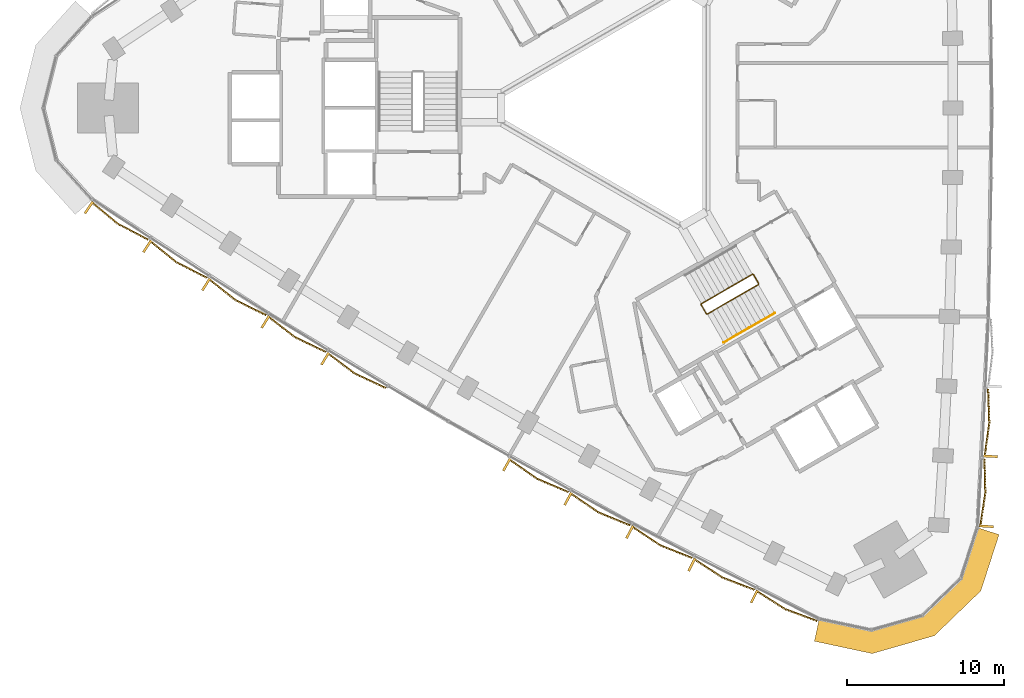
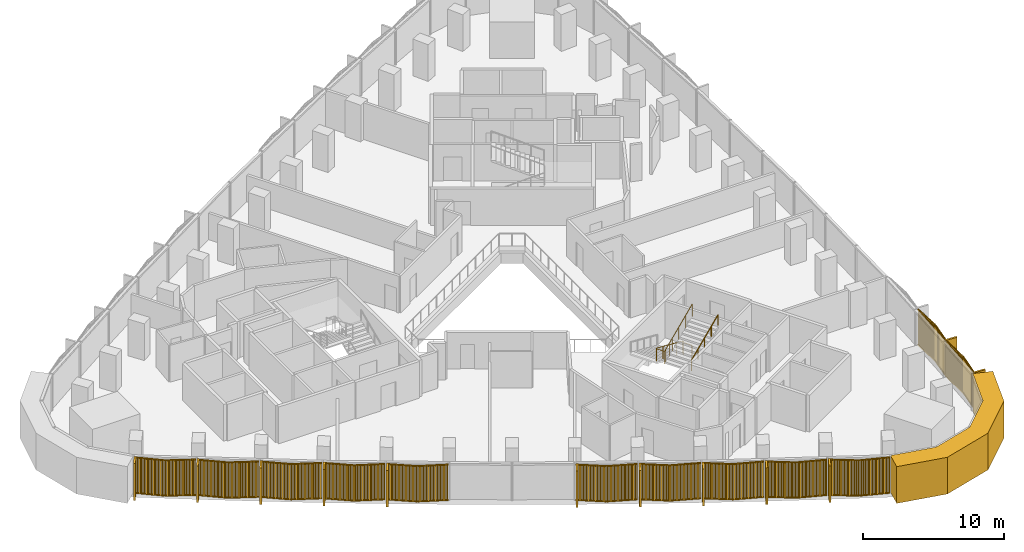
# One storey, part 12 of 15: 13 coverings, 2 railings.
"""IFC4 building model written with IfcOpenShell, lengths in metres."""

from ifc_helpers import new_model, si_unit, direction, frame, frame_2d, origin, origin_2d, place, context, subcontext, project, spatial, polyline, rectangle, circle, outline, extrude, source, transform, mapped, material, layer, layer_set, type_object, element, save


model = new_model("IFC4")

# Units and contexts
model_context = context("Model", 3, precision=1e-05, world=origin(), true_north=direction((0.0, 1.0)))
body_context = subcontext(model_context, "Body", "Model", "MODEL_VIEW")
ifc_project = project(units=[si_unit("LENGTHUNIT", "METRE"), si_unit("AREAUNIT", "SQUARE_METRE"), si_unit("VOLUMEUNIT", "CUBIC_METRE"), si_unit("PLANEANGLEUNIT", "RADIAN"), si_unit("MASSUNIT", "GRAM", prefix="KILO")], contexts=[model_context])

# Site, building, storey
site_placement = place(None, origin())
site = spatial("IfcSite", under=ifc_project, at=site_placement, CompositionType="ELEMENT")
building_placement = place(site_placement, origin())
building = spatial("IfcBuilding", under=site, at=building_placement, Name="Tamra Quay Hotel Tower", CompositionType="ELEMENT")
storey_placement = place(building_placement, frame((0.0, 0.0, 97.39990234375)))
storey = spatial("IfcBuildingStorey", under=building, at=storey_placement, Name="L23", CompositionType="ELEMENT", Elevation=97.39990234375)

# Covering
ifc_material_1 = material(Name="Precast concrete M60 terracotta-coloured", Category="masonry")
ifc_layer = layer(ifc_material_1, 1.449951171875)
ifc_layer_set = layer_set([ifc_layer], Name="CORNER PIER PANEL")
covering_type_1 = type_object("IfcCoveringType", Name="CORNER PIER PANEL", PredefinedType="CLADDING", material=ifc_layer_set)
covering_placement = place(storey_placement, origin())
element("IfcCovering", 1, at=covering_placement, inside=storey, type_object=covering_type_1, Name="Corner pier L23.south-west", PredefinedType="CLADDING", context=body_context, shape_type="SweptSolid", body=[
    extrude(outline(polyline([(12.11181640625, -32.657470703125), (11.808349609375, -34.075439453125), (15.497314453125, -34.864501953125), (19.471923828125, -33.7265625), (22.44482421875, -30.853271484375), (23.60595703125, -27.26416015625), (22.226318359375, -26.81787109375), (21.1767578125, -30.062255859375), (18.724609375, -32.43212890625), (15.4462890625, -33.370849609375), (12.11181640625, -32.657470703125)])), origin(), (0.0, 0.0, 1.0), 3.175048828125),
])

# Railings
ifc_material_2 = material(Name="Stair guard 1100")
railing_type_1 = type_object("IfcRailingType", Name="Stair guard 1100", PredefinedType="GUARDRAIL", material=ifc_material_2)
railing_1_placement = place(storey_placement, frame((8.245849609375, -11.221923828125, 0.0)))
element("IfcRailing", 2, at=railing_1_placement, inside=storey, type_object=railing_type_1, Name="GR", PredefinedType="GUARDRAIL", context=body_context, shape_type="SweptSolid", body=[
    extrude(circle(Radius=0.02392578125, at=origin_2d()), frame((0.0, 0.0, 1.076171875), z_axis=(-0.500043078269, 0.866000531106, 0.0), x_axis=(-0.866000531106, -0.500043078269, 0.0)), (0.0, 0.0, 1.0), 0.6591796875),
    extrude(circle(Radius=0.02392578125, at=origin_2d()), frame((-0.32958984375, 0.57080078125, 1.076171875), z_axis=(-0.411831509231, 0.110312011401, 0.90455849349), x_axis=(-0.258736085224, -0.965948051503, 0.0)), (0.0, 0.0, 1.0), 0.166015625),
    extrude(circle(Radius=0.02392578125, at=origin_2d()), frame((-0.39794921875, 0.589111328125, 1.22607421875), z_axis=(-0.793100512587, -0.457912285461, 0.401631567183), x_axis=(0.500012686397, -0.866018079166, 0.0)), (0.0, 0.0, 1.0), 4.10791015625),
    extrude(circle(Radius=0.02392578125, at=origin_2d()), frame((-3.656005859375, -1.2919921875, 2.8759765625), z_axis=(-0.256368644879, -0.966579080015, 0.0), x_axis=(0.966579080015, -0.256368644879, 0.0)), (0.0, 0.0, 1.0), 0.070556640625),
    extrude(circle(Radius=0.02392578125, at=origin_2d()), frame((-3.674072265625, -1.360107421875, 2.8759765625), z_axis=(0.499765215335, -0.866160914346, 0.0), x_axis=(0.866160914346, 0.499765215335, 0.0)), (0.0, 0.0, 1.0), 0.658935546875),
    extrude(circle(Radius=0.02392578125, at=origin_2d()), frame((-3.3447265625, -1.930908203125, 2.8759765625), z_axis=(0.411831509231, -0.110312011401, 0.90455849349), x_axis=(0.258736085224, 0.965948051503, 0.0)), (0.0, 0.0, 1.0), 0.166015625),
    extrude(circle(Radius=0.02392578125, at=origin_2d()), frame((-3.2763671875, -1.94921875, 3.0263671875), z_axis=(0.793100512587, 0.457912285461, 0.401631567183), x_axis=(-0.500012686397, 0.866018079166, 0.0)), (0.0, 0.0, 1.0), 4.10791015625),
    extrude(circle(Radius=0.02099609375, at=origin_2d()), origin(), (0.0, 0.0, 1.0), 1.052001953125),
    extrude(circle(Radius=0.02099609375, at=origin_2d()), frame((-0.32958984375, 0.57080078125, 0.0)), (0.0, 0.0, 1.0), 1.052001953125),
    extrude(circle(Radius=0.02099609375, at=origin_2d()), frame((-0.39794921875, 0.589111328125, 0.150146484375)), (0.0, 0.0, 1.0), 1.052001953125),
    extrude(circle(Radius=0.02099609375, at=origin_2d()), frame((-1.21240234375, 0.118896484375, 0.5625)), (0.0, 0.0, 1.0), 1.052001953125),
    extrude(circle(Radius=0.02099609375, at=origin_2d()), frame((-2.02685546875, -0.3515625, 0.97509765625)), (0.0, 0.0, 1.0), 1.052001953125),
    extrude(circle(Radius=0.02099609375, at=origin_2d()), frame((-2.841552734375, -0.82177734375, 1.3876953125)), (0.0, 0.0, 1.0), 1.052001953125),
    extrude(circle(Radius=0.02099609375, at=origin_2d()), frame((-3.656005859375, -1.2919921875, 1.800048828125)), (0.0, 0.0, 1.0), 1.052001953125),
    extrude(circle(Radius=0.02099609375, at=origin_2d()), frame((-3.674072265625, -1.360107421875, 1.800048828125)), (0.0, 0.0, 1.0), 1.052001953125),
    extrude(circle(Radius=0.02099609375, at=origin_2d()), frame((-3.3447265625, -1.930908203125, 1.800048828125)), (0.0, 0.0, 1.0), 1.052001953125),
    extrude(circle(Radius=0.02099609375, at=origin_2d()), frame((-3.2763671875, -1.94921875, 1.9501953125)), (0.0, 0.0, 1.0), 1.052001953125),
    extrude(circle(Radius=0.02099609375, at=origin_2d()), frame((-2.4619140625, -1.47900390625, 2.36279296875)), (0.0, 0.0, 1.0), 1.052001953125),
    extrude(circle(Radius=0.02099609375, at=origin_2d()), frame((-1.6474609375, -1.0087890625, 2.775146484375)), (0.0, 0.0, 1.0), 1.052001953125),
    extrude(circle(Radius=0.02099609375, at=origin_2d()), frame((-0.832763671875, -0.538330078125, 3.1875)), (0.0, 0.0, 1.0), 1.052001953125),
    extrude(circle(Radius=0.02099609375, at=origin_2d()), frame((-0.018310546875, -0.068115234375, 3.60009765625)), (0.0, 0.0, 1.0), 1.052001953125),
])
ifc_material_3 = material(Name="Stair handrail 900")
railing_type_2 = type_object("IfcRailingType", Name="Stair handrail 900", PredefinedType="HANDRAIL", material=ifc_material_3)
railing_2_placement = place(storey_placement, frame((6.01953125, -14.98974609375, 1.9501953125)))
element("IfcRailing", 3, at=railing_2_placement, inside=storey, type_object=railing_type_2, Name="HR", PredefinedType="HANDRAIL", context=body_context, shape_type="SweptSolid", body=[
    extrude(circle(Radius=0.02392578125, at=origin_2d()), frame((0.0, 0.0, 0.8759765625), z_axis=(0.79310004713, 0.457886897714, 0.401661429744), x_axis=(-0.499992114976, 0.866029956157, 0.0)), (0.0, 0.0, 1.0), 4.107666015625),
    extrude(circle(Radius=0.02099609375, at=origin_2d()), origin(), (0.0, 0.0, 1.0), 0.851806640625),
    extrude(circle(Radius=0.02099609375, at=origin_2d()), frame((0.814453125, 0.47021484375, 0.41259765625)), (0.0, 0.0, 1.0), 0.851806640625),
    extrude(circle(Radius=0.02099609375, at=origin_2d()), frame((1.62890625, 0.9404296875, 0.824951171875)), (0.0, 0.0, 1.0), 0.851806640625),
    extrude(circle(Radius=0.02099609375, at=origin_2d()), frame((2.443359375, 1.41064453125, 1.2373046875)), (0.0, 0.0, 1.0), 0.851806640625),
    extrude(circle(Radius=0.02099609375, at=origin_2d()), frame((3.2578125, 1.880859375, 1.64990234375)), (0.0, 0.0, 1.0), 0.851806640625),
])

# Coverings
ifc_material_4 = material(Name="Terracotta baguette extruded", Category="masonry")
covering_type_2 = type_object("IfcCoveringType", Name="BAGUETTE SCREEN E-V H3175", PredefinedType="USERDEFINED", material=ifc_material_4)
shared_shape_1 = source(origin(), body_context, "Body", "SweptSolid", [
    extrude(rectangle(XDim=2.200927734375, YDim=0.06005859375, at=frame_2d((1.1005859375, 0.030029296875))), frame((-2.19775390625, -0.057861328125, -0.1201171875), z_axis=(0.0, 0.0, 1.0), x_axis=(0.996194698092, -0.087155742748, 0.0)), (0.0, 0.0, 1.0), 0.1201171875),
    extrude(rectangle(XDim=2.200927734375, YDim=0.06005859375, at=frame_2d((1.1005859375, 0.030029296875))), frame((-2.19775390625, -0.057861328125, -3.175048828125), z_axis=(0.0, 0.0, 1.0), x_axis=(0.996194698092, -0.087155742748, 0.0)), (0.0, 0.0, 1.0), 0.1201171875),
    extrude(rectangle(XDim=0.070068359375, YDim=0.10009765625, at=frame_2d((0.03515625, 0.050048828125))), frame((-2.177734375, -0.13232421875, -3.114990234375)), (0.0, 0.0, 1.0), 3.054931640625),
    extrude(rectangle(XDim=0.070068359375, YDim=0.10009765625, at=frame_2d((0.03515625, 0.050048828125))), frame((-2.078125, -0.14111328125, -3.114990234375)), (0.0, 0.0, 1.0), 3.054931640625),
    extrude(rectangle(XDim=0.070068359375, YDim=0.10009765625, at=frame_2d((0.03515625, 0.050048828125))), frame((-1.978271484375, -0.14990234375, -3.114990234375)), (0.0, 0.0, 1.0), 3.054931640625),
    extrude(rectangle(XDim=0.070068359375, YDim=0.10009765625, at=frame_2d((0.03515625, 0.050048828125))), frame((-1.878662109375, -0.158447265625, -3.114990234375)), (0.0, 0.0, 1.0), 3.054931640625),
    extrude(rectangle(XDim=0.070068359375, YDim=0.10009765625, at=frame_2d((0.03515625, 0.050048828125))), frame((-1.779052734375, -0.167236328125, -3.114990234375)), (0.0, 0.0, 1.0), 3.054931640625),
    extrude(rectangle(XDim=0.070068359375, YDim=0.10009765625, at=frame_2d((0.03515625, 0.050048828125))), frame((-1.679443359375, -0.176025390625, -3.114990234375)), (0.0, 0.0, 1.0), 3.054931640625),
    extrude(rectangle(XDim=0.070068359375, YDim=0.10009765625, at=frame_2d((0.03515625, 0.050048828125))), frame((-1.579833984375, -0.1845703125, -3.114990234375)), (0.0, 0.0, 1.0), 3.054931640625),
    extrude(rectangle(XDim=0.070068359375, YDim=0.10009765625, at=frame_2d((0.03515625, 0.050048828125))), frame((-1.47998046875, -0.193359375, -3.114990234375)), (0.0, 0.0, 1.0), 3.054931640625),
    extrude(rectangle(XDim=0.070068359375, YDim=0.10009765625, at=frame_2d((0.03515625, 0.050048828125))), frame((-1.38037109375, -0.2021484375, -3.114990234375)), (0.0, 0.0, 1.0), 3.054931640625),
    extrude(rectangle(XDim=0.070068359375, YDim=0.10009765625, at=frame_2d((0.03515625, 0.050048828125))), frame((-1.28076171875, -0.2109375, -3.114990234375)), (0.0, 0.0, 1.0), 3.054931640625),
    extrude(rectangle(XDim=0.070068359375, YDim=0.10009765625, at=frame_2d((0.03515625, 0.050048828125))), frame((-1.18115234375, -0.219482421875, -3.114990234375)), (0.0, 0.0, 1.0), 3.054931640625),
    extrude(rectangle(XDim=0.070068359375, YDim=0.10009765625, at=frame_2d((0.03515625, 0.050048828125))), frame((-1.081298828125, -0.228271484375, -3.114990234375)), (0.0, 0.0, 1.0), 3.054931640625),
    extrude(rectangle(XDim=0.070068359375, YDim=0.10009765625, at=frame_2d((0.03515625, 0.050048828125))), frame((-0.981689453125, -0.237060546875, -3.114990234375)), (0.0, 0.0, 1.0), 3.054931640625),
    extrude(rectangle(XDim=0.070068359375, YDim=0.10009765625, at=frame_2d((0.03515625, 0.050048828125))), frame((-0.882080078125, -0.24560546875, -3.114990234375)), (0.0, 0.0, 1.0), 3.054931640625),
    extrude(rectangle(XDim=0.070068359375, YDim=0.10009765625, at=frame_2d((0.03515625, 0.050048828125))), frame((-0.782470703125, -0.25439453125, -3.114990234375)), (0.0, 0.0, 1.0), 3.054931640625),
    extrude(rectangle(XDim=0.070068359375, YDim=0.10009765625, at=frame_2d((0.03515625, 0.050048828125))), frame((-0.682861328125, -0.26318359375, -3.114990234375)), (0.0, 0.0, 1.0), 3.054931640625),
    extrude(rectangle(XDim=0.070068359375, YDim=0.10009765625, at=frame_2d((0.03515625, 0.050048828125))), frame((-0.583251953125, -0.27197265625, -3.114990234375)), (0.0, 0.0, 1.0), 3.054931640625),
    extrude(rectangle(XDim=0.070068359375, YDim=0.10009765625, at=frame_2d((0.03515625, 0.050048828125))), frame((-0.4833984375, -0.280517578125, -3.114990234375)), (0.0, 0.0, 1.0), 3.054931640625),
    extrude(rectangle(XDim=0.070068359375, YDim=0.10009765625, at=frame_2d((0.03515625, 0.050048828125))), frame((-0.3837890625, -0.289306640625, -3.114990234375)), (0.0, 0.0, 1.0), 3.054931640625),
    extrude(rectangle(XDim=0.070068359375, YDim=0.10009765625, at=frame_2d((0.03515625, 0.050048828125))), frame((-0.2841796875, -0.298095703125, -3.114990234375)), (0.0, 0.0, 1.0), 3.054931640625),
    extrude(rectangle(XDim=0.070068359375, YDim=0.10009765625, at=frame_2d((0.03515625, 0.050048828125))), frame((-0.1845703125, -0.306640625, -3.114990234375)), (0.0, 0.0, 1.0), 3.054931640625),
    extrude(rectangle(XDim=0.070068359375, YDim=0.10009765625, at=frame_2d((0.03515625, 0.050048828125))), frame((-0.084716796875, -0.3154296875, -3.114990234375)), (0.0, 0.0, 1.0), 3.054931640625),
    extrude(rectangle(XDim=2.200927734375, YDim=0.06005859375, at=frame_2d((1.1005859375, 0.030029296875))), frame((0.005126953125, -0.24951171875, -0.1201171875), z_axis=(0.0, 0.0, 1.0), x_axis=(0.996194698092, 0.087155742748, 0.0)), (0.0, 0.0, 1.0), 0.1201171875),
    extrude(rectangle(XDim=2.200927734375, YDim=0.06005859375, at=frame_2d((1.1005859375, 0.030029296875))), frame((0.005126953125, -0.24951171875, -3.175048828125), z_axis=(0.0, 0.0, 1.0), x_axis=(0.996194698092, 0.087155742748, 0.0)), (0.0, 0.0, 1.0), 0.1201171875),
    extrude(rectangle(XDim=0.070068359375, YDim=0.10009765625, at=frame_2d((0.03515625, 0.050048828125))), frame((0.014892578125, -0.3154296875, -3.114990234375)), (0.0, 0.0, 1.0), 3.054931640625),
    extrude(rectangle(XDim=0.070068359375, YDim=0.10009765625, at=frame_2d((0.03515625, 0.050048828125))), frame((0.114501953125, -0.306640625, -3.114990234375)), (0.0, 0.0, 1.0), 3.054931640625),
    extrude(rectangle(XDim=0.070068359375, YDim=0.10009765625, at=frame_2d((0.03515625, 0.050048828125))), frame((0.214111328125, -0.298095703125, -3.114990234375)), (0.0, 0.0, 1.0), 3.054931640625),
    extrude(rectangle(XDim=0.070068359375, YDim=0.10009765625, at=frame_2d((0.03515625, 0.050048828125))), frame((0.313720703125, -0.289306640625, -3.114990234375)), (0.0, 0.0, 1.0), 3.054931640625),
    extrude(rectangle(XDim=0.070068359375, YDim=0.10009765625, at=frame_2d((0.03515625, 0.050048828125))), frame((0.41357421875, -0.280517578125, -3.114990234375)), (0.0, 0.0, 1.0), 3.054931640625),
    extrude(rectangle(XDim=0.070068359375, YDim=0.10009765625, at=frame_2d((0.03515625, 0.050048828125))), frame((0.51318359375, -0.27197265625, -3.114990234375)), (0.0, 0.0, 1.0), 3.054931640625),
    extrude(rectangle(XDim=0.070068359375, YDim=0.10009765625, at=frame_2d((0.03515625, 0.050048828125))), frame((0.61279296875, -0.26318359375, -3.114990234375)), (0.0, 0.0, 1.0), 3.054931640625),
    extrude(rectangle(XDim=0.070068359375, YDim=0.10009765625, at=frame_2d((0.03515625, 0.050048828125))), frame((0.71240234375, -0.25439453125, -3.114990234375)), (0.0, 0.0, 1.0), 3.054931640625),
    extrude(rectangle(XDim=0.070068359375, YDim=0.10009765625, at=frame_2d((0.03515625, 0.050048828125))), frame((0.81201171875, -0.24560546875, -3.114990234375)), (0.0, 0.0, 1.0), 3.054931640625),
    extrude(rectangle(XDim=0.070068359375, YDim=0.10009765625, at=frame_2d((0.03515625, 0.050048828125))), frame((0.911865234375, -0.237060546875, -3.114990234375)), (0.0, 0.0, 1.0), 3.054931640625),
    extrude(rectangle(XDim=0.070068359375, YDim=0.10009765625, at=frame_2d((0.03515625, 0.050048828125))), frame((1.011474609375, -0.228271484375, -3.114990234375)), (0.0, 0.0, 1.0), 3.054931640625),
    extrude(rectangle(XDim=0.070068359375, YDim=0.10009765625, at=frame_2d((0.03515625, 0.050048828125))), frame((1.111083984375, -0.219482421875, -3.114990234375)), (0.0, 0.0, 1.0), 3.054931640625),
    extrude(rectangle(XDim=0.070068359375, YDim=0.10009765625, at=frame_2d((0.03515625, 0.050048828125))), frame((1.210693359375, -0.2109375, -3.114990234375)), (0.0, 0.0, 1.0), 3.054931640625),
    extrude(rectangle(XDim=0.070068359375, YDim=0.10009765625, at=frame_2d((0.03515625, 0.050048828125))), frame((1.310302734375, -0.2021484375, -3.114990234375)), (0.0, 0.0, 1.0), 3.054931640625),
    extrude(rectangle(XDim=0.070068359375, YDim=0.10009765625, at=frame_2d((0.03515625, 0.050048828125))), frame((1.41015625, -0.193359375, -3.114990234375)), (0.0, 0.0, 1.0), 3.054931640625),
    extrude(rectangle(XDim=0.070068359375, YDim=0.10009765625, at=frame_2d((0.03515625, 0.050048828125))), frame((1.509765625, -0.1845703125, -3.114990234375)), (0.0, 0.0, 1.0), 3.054931640625),
    extrude(rectangle(XDim=0.070068359375, YDim=0.10009765625, at=frame_2d((0.03515625, 0.050048828125))), frame((1.609375, -0.176025390625, -3.114990234375)), (0.0, 0.0, 1.0), 3.054931640625),
    extrude(rectangle(XDim=0.070068359375, YDim=0.10009765625, at=frame_2d((0.03515625, 0.050048828125))), frame((1.708984375, -0.167236328125, -3.114990234375)), (0.0, 0.0, 1.0), 3.054931640625),
    extrude(rectangle(XDim=0.070068359375, YDim=0.10009765625, at=frame_2d((0.03515625, 0.050048828125))), frame((1.80859375, -0.158447265625, -3.114990234375)), (0.0, 0.0, 1.0), 3.054931640625),
    extrude(rectangle(XDim=0.070068359375, YDim=0.10009765625, at=frame_2d((0.03515625, 0.050048828125))), frame((1.908447265625, -0.14990234375, -3.114990234375)), (0.0, 0.0, 1.0), 3.054931640625),
    extrude(rectangle(XDim=0.070068359375, YDim=0.10009765625, at=frame_2d((0.03515625, 0.050048828125))), frame((2.008056640625, -0.14111328125, -3.114990234375)), (0.0, 0.0, 1.0), 3.054931640625),
    extrude(rectangle(XDim=0.070068359375, YDim=0.10009765625, at=frame_2d((0.03515625, 0.050048828125))), frame((2.107666015625, -0.13232421875, -3.114990234375)), (0.0, 0.0, 1.0), 3.054931640625),
    extrude(rectangle(XDim=0.14990234375, YDim=0.902099609375, at=frame_2d((0.074951171875, 0.451171875))), frame((-2.1923828125, -0.89990234375, -3.175048828125)), (0.0, 0.0, 1.0), 3.175048828125),
])
for number, where, z_axis, x_axis, name in (
    (4, (22.474365234375, -24.5927734375, 3.175048828125), (0.0, 0.0, 1.0), (0.062669917068, 0.998034308776, 0.0), "Baguette screen L23.E.f00"),
    (5, (22.729248046875, -20.1259765625, 3.175048828125), (0.0, 0.0, 1.0), (0.051320736558, 0.998682222731, 0.0), "Baguette screen L23.E.f01"),
):
    element("IfcCovering", number, at=place(storey_placement, frame(where, z_axis=z_axis, x_axis=x_axis)), inside=storey, type_object=covering_type_2, Name=name, ObjectType="BAGUETTE SCREEN", PredefinedType="USERDEFINED", context=body_context, shape_type="MappedRepresentation", body=[
        mapped(shared_shape_1, transform((0.0, 0.0, 0.0), scale=1.0)),
    ])
covering_type_3 = type_object("IfcCoveringType", Name="BAGUETTE SCREEN SW-V H3175", PredefinedType="USERDEFINED", material=ifc_material_4)
shared_shape_2 = source(origin(), body_context, "Body", "SweptSolid", [
    extrude(rectangle(XDim=2.20458984375, YDim=0.06005859375, at=frame_2d((1.102294921875, 0.030029296875))), frame((-2.19873046875, -0.0576171875, -0.1201171875), z_axis=(0.0, 0.0, 1.0), x_axis=(0.994521895368, -0.104528463268, 0.0)), (0.0, 0.0, 1.0), 0.1201171875),
    extrude(rectangle(XDim=2.20458984375, YDim=0.06005859375, at=frame_2d((1.102294921875, 0.030029296875))), frame((-2.19873046875, -0.0576171875, -3.175048828125), z_axis=(0.0, 0.0, 1.0), x_axis=(0.994521895368, -0.104528463268, 0.0)), (0.0, 0.0, 1.0), 0.1201171875),
    extrude(rectangle(XDim=0.070068359375, YDim=0.10009765625, at=frame_2d((0.03515625, 0.050048828125))), frame((-2.177734375, -0.13330078125, -3.114990234375)), (0.0, 0.0, 1.0), 3.054931640625),
    extrude(rectangle(XDim=0.070068359375, YDim=0.10009765625, at=frame_2d((0.03515625, 0.050048828125))), frame((-2.078125, -0.143798828125, -3.114990234375)), (0.0, 0.0, 1.0), 3.054931640625),
    extrude(rectangle(XDim=0.070068359375, YDim=0.10009765625, at=frame_2d((0.03515625, 0.050048828125))), frame((-1.978271484375, -0.154296875, -3.114990234375)), (0.0, 0.0, 1.0), 3.054931640625),
    extrude(rectangle(XDim=0.070068359375, YDim=0.10009765625, at=frame_2d((0.03515625, 0.050048828125))), frame((-1.878662109375, -0.16455078125, -3.114990234375)), (0.0, 0.0, 1.0), 3.054931640625),
    extrude(rectangle(XDim=0.070068359375, YDim=0.10009765625, at=frame_2d((0.03515625, 0.050048828125))), frame((-1.779052734375, -0.175048828125, -3.114990234375)), (0.0, 0.0, 1.0), 3.054931640625),
    extrude(rectangle(XDim=0.070068359375, YDim=0.10009765625, at=frame_2d((0.03515625, 0.050048828125))), frame((-1.679443359375, -0.185546875, -3.114990234375)), (0.0, 0.0, 1.0), 3.054931640625),
    extrude(rectangle(XDim=0.070068359375, YDim=0.10009765625, at=frame_2d((0.03515625, 0.050048828125))), frame((-1.579833984375, -0.196044921875, -3.114990234375)), (0.0, 0.0, 1.0), 3.054931640625),
    extrude(rectangle(XDim=0.070068359375, YDim=0.10009765625, at=frame_2d((0.03515625, 0.050048828125))), frame((-1.47998046875, -0.20654296875, -3.114990234375)), (0.0, 0.0, 1.0), 3.054931640625),
    extrude(rectangle(XDim=0.070068359375, YDim=0.10009765625, at=frame_2d((0.03515625, 0.050048828125))), frame((-1.38037109375, -0.217041015625, -3.114990234375)), (0.0, 0.0, 1.0), 3.054931640625),
    extrude(rectangle(XDim=0.070068359375, YDim=0.10009765625, at=frame_2d((0.03515625, 0.050048828125))), frame((-1.28076171875, -0.2275390625, -3.114990234375)), (0.0, 0.0, 1.0), 3.054931640625),
    extrude(rectangle(XDim=0.070068359375, YDim=0.10009765625, at=frame_2d((0.03515625, 0.050048828125))), frame((-1.18115234375, -0.238037109375, -3.114990234375)), (0.0, 0.0, 1.0), 3.054931640625),
    extrude(rectangle(XDim=0.070068359375, YDim=0.10009765625, at=frame_2d((0.03515625, 0.050048828125))), frame((-1.081298828125, -0.24853515625, -3.114990234375)), (0.0, 0.0, 1.0), 3.054931640625),
    extrude(rectangle(XDim=0.070068359375, YDim=0.10009765625, at=frame_2d((0.03515625, 0.050048828125))), frame((-0.981689453125, -0.259033203125, -3.114990234375)), (0.0, 0.0, 1.0), 3.054931640625),
    extrude(rectangle(XDim=0.070068359375, YDim=0.10009765625, at=frame_2d((0.03515625, 0.050048828125))), frame((-0.882080078125, -0.26953125, -3.114990234375)), (0.0, 0.0, 1.0), 3.054931640625),
    extrude(rectangle(XDim=0.070068359375, YDim=0.10009765625, at=frame_2d((0.03515625, 0.050048828125))), frame((-0.782470703125, -0.27978515625, -3.114990234375)), (0.0, 0.0, 1.0), 3.054931640625),
    extrude(rectangle(XDim=0.070068359375, YDim=0.10009765625, at=frame_2d((0.03515625, 0.050048828125))), frame((-0.682861328125, -0.290283203125, -3.114990234375)), (0.0, 0.0, 1.0), 3.054931640625),
    extrude(rectangle(XDim=0.070068359375, YDim=0.10009765625, at=frame_2d((0.03515625, 0.050048828125))), frame((-0.583251953125, -0.30078125, -3.114990234375)), (0.0, 0.0, 1.0), 3.054931640625),
    extrude(rectangle(XDim=0.070068359375, YDim=0.10009765625, at=frame_2d((0.03515625, 0.050048828125))), frame((-0.4833984375, -0.311279296875, -3.114990234375)), (0.0, 0.0, 1.0), 3.054931640625),
    extrude(rectangle(XDim=0.070068359375, YDim=0.10009765625, at=frame_2d((0.03515625, 0.050048828125))), frame((-0.3837890625, -0.32177734375, -3.114990234375)), (0.0, 0.0, 1.0), 3.054931640625),
    extrude(rectangle(XDim=0.070068359375, YDim=0.10009765625, at=frame_2d((0.03515625, 0.050048828125))), frame((-0.2841796875, -0.332275390625, -3.114990234375)), (0.0, 0.0, 1.0), 3.054931640625),
    extrude(rectangle(XDim=0.070068359375, YDim=0.10009765625, at=frame_2d((0.03515625, 0.050048828125))), frame((-0.1845703125, -0.3427734375, -3.114990234375)), (0.0, 0.0, 1.0), 3.054931640625),
    extrude(rectangle(XDim=0.070068359375, YDim=0.10009765625, at=frame_2d((0.03515625, 0.050048828125))), frame((-0.084716796875, -0.353271484375, -3.114990234375)), (0.0, 0.0, 1.0), 3.054931640625),
    extrude(rectangle(XDim=2.20458984375, YDim=0.06005859375, at=frame_2d((1.102294921875, 0.030029296875))), frame((0.00634765625, -0.2880859375, -0.1201171875), z_axis=(0.0, 0.0, 1.0), x_axis=(0.994521895368, 0.104528463268, 0.0)), (0.0, 0.0, 1.0), 0.1201171875),
    extrude(rectangle(XDim=2.20458984375, YDim=0.06005859375, at=frame_2d((1.102294921875, 0.030029296875))), frame((0.00634765625, -0.2880859375, -3.175048828125), z_axis=(0.0, 0.0, 1.0), x_axis=(0.994521895368, 0.104528463268, 0.0)), (0.0, 0.0, 1.0), 0.1201171875),
    extrude(rectangle(XDim=0.070068359375, YDim=0.10009765625, at=frame_2d((0.03515625, 0.050048828125))), frame((0.014892578125, -0.353271484375, -3.114990234375)), (0.0, 0.0, 1.0), 3.054931640625),
    extrude(rectangle(XDim=0.070068359375, YDim=0.10009765625, at=frame_2d((0.03515625, 0.050048828125))), frame((0.114501953125, -0.3427734375, -3.114990234375)), (0.0, 0.0, 1.0), 3.054931640625),
    extrude(rectangle(XDim=0.070068359375, YDim=0.10009765625, at=frame_2d((0.03515625, 0.050048828125))), frame((0.214111328125, -0.332275390625, -3.114990234375)), (0.0, 0.0, 1.0), 3.054931640625),
    extrude(rectangle(XDim=0.070068359375, YDim=0.10009765625, at=frame_2d((0.03515625, 0.050048828125))), frame((0.313720703125, -0.32177734375, -3.114990234375)), (0.0, 0.0, 1.0), 3.054931640625),
    extrude(rectangle(XDim=0.070068359375, YDim=0.10009765625, at=frame_2d((0.03515625, 0.050048828125))), frame((0.41357421875, -0.311279296875, -3.114990234375)), (0.0, 0.0, 1.0), 3.054931640625),
    extrude(rectangle(XDim=0.070068359375, YDim=0.10009765625, at=frame_2d((0.03515625, 0.050048828125))), frame((0.51318359375, -0.30078125, -3.114990234375)), (0.0, 0.0, 1.0), 3.054931640625),
    extrude(rectangle(XDim=0.070068359375, YDim=0.10009765625, at=frame_2d((0.03515625, 0.050048828125))), frame((0.61279296875, -0.290283203125, -3.114990234375)), (0.0, 0.0, 1.0), 3.054931640625),
    extrude(rectangle(XDim=0.070068359375, YDim=0.10009765625, at=frame_2d((0.03515625, 0.050048828125))), frame((0.71240234375, -0.27978515625, -3.114990234375)), (0.0, 0.0, 1.0), 3.054931640625),
    extrude(rectangle(XDim=0.070068359375, YDim=0.10009765625, at=frame_2d((0.03515625, 0.050048828125))), frame((0.81201171875, -0.26953125, -3.114990234375)), (0.0, 0.0, 1.0), 3.054931640625),
    extrude(rectangle(XDim=0.070068359375, YDim=0.10009765625, at=frame_2d((0.03515625, 0.050048828125))), frame((0.911865234375, -0.259033203125, -3.114990234375)), (0.0, 0.0, 1.0), 3.054931640625),
    extrude(rectangle(XDim=0.070068359375, YDim=0.10009765625, at=frame_2d((0.03515625, 0.050048828125))), frame((1.011474609375, -0.24853515625, -3.114990234375)), (0.0, 0.0, 1.0), 3.054931640625),
    extrude(rectangle(XDim=0.070068359375, YDim=0.10009765625, at=frame_2d((0.03515625, 0.050048828125))), frame((1.111083984375, -0.238037109375, -3.114990234375)), (0.0, 0.0, 1.0), 3.054931640625),
    extrude(rectangle(XDim=0.070068359375, YDim=0.10009765625, at=frame_2d((0.03515625, 0.050048828125))), frame((1.210693359375, -0.2275390625, -3.114990234375)), (0.0, 0.0, 1.0), 3.054931640625),
    extrude(rectangle(XDim=0.070068359375, YDim=0.10009765625, at=frame_2d((0.03515625, 0.050048828125))), frame((1.310302734375, -0.217041015625, -3.114990234375)), (0.0, 0.0, 1.0), 3.054931640625),
    extrude(rectangle(XDim=0.070068359375, YDim=0.10009765625, at=frame_2d((0.03515625, 0.050048828125))), frame((1.41015625, -0.20654296875, -3.114990234375)), (0.0, 0.0, 1.0), 3.054931640625),
    extrude(rectangle(XDim=0.070068359375, YDim=0.10009765625, at=frame_2d((0.03515625, 0.050048828125))), frame((1.509765625, -0.196044921875, -3.114990234375)), (0.0, 0.0, 1.0), 3.054931640625),
    extrude(rectangle(XDim=0.070068359375, YDim=0.10009765625, at=frame_2d((0.03515625, 0.050048828125))), frame((1.609375, -0.185546875, -3.114990234375)), (0.0, 0.0, 1.0), 3.054931640625),
    extrude(rectangle(XDim=0.070068359375, YDim=0.10009765625, at=frame_2d((0.03515625, 0.050048828125))), frame((1.708984375, -0.175048828125, -3.114990234375)), (0.0, 0.0, 1.0), 3.054931640625),
    extrude(rectangle(XDim=0.070068359375, YDim=0.10009765625, at=frame_2d((0.03515625, 0.050048828125))), frame((1.80859375, -0.16455078125, -3.114990234375)), (0.0, 0.0, 1.0), 3.054931640625),
    extrude(rectangle(XDim=0.070068359375, YDim=0.10009765625, at=frame_2d((0.03515625, 0.050048828125))), frame((1.908447265625, -0.154296875, -3.114990234375)), (0.0, 0.0, 1.0), 3.054931640625),
    extrude(rectangle(XDim=0.070068359375, YDim=0.10009765625, at=frame_2d((0.03515625, 0.050048828125))), frame((2.008056640625, -0.143798828125, -3.114990234375)), (0.0, 0.0, 1.0), 3.054931640625),
    extrude(rectangle(XDim=0.070068359375, YDim=0.10009765625, at=frame_2d((0.03515625, 0.050048828125))), frame((2.107666015625, -0.13330078125, -3.114990234375)), (0.0, 0.0, 1.0), 3.054931640625),
    extrude(rectangle(XDim=0.14990234375, YDim=0.902099609375, at=frame_2d((0.074951171875, 0.451171875))), frame((-2.1923828125, -0.89990234375, -3.175048828125)), (0.0, 0.0, 1.0), 3.175048828125),
])
for number, where, z_axis, x_axis, name in (
    (6, (-32.53515625, -7.1669921875, 3.175048828125), (0.0, 0.0, 1.0), (0.832988106715, -0.553290894622, 0.0), "Baguette screen L23.SW.f00"),
    (7, (-28.79443359375, -9.62109375, 3.175048828125), (0.0, 0.0, 1.0), (0.839223806914, -0.543786172966, 0.0), "Baguette screen L23.SW.f01"),
    (8, (-25.025634765625, -12.03271484375, 3.175048828125), (0.0, 0.0, 1.0), (0.845362307372, -0.534193381909, 0.0), "Baguette screen L23.SW.f02"),
    (9, (-21.2294921875, -14.4013671875, 3.175048828125), (0.0, 0.0, 1.0), (0.851399310906, -0.524518077276, 0.0), "Baguette screen L23.SW.f03"),
    (10, (-17.40673828125, -16.7265625, 3.175048828125), (0.0, 0.0, 1.0), (0.857331299736, -0.5147650362, 0.0), "Baguette screen L23.SW.f04"),
    (11, (-5.7822265625, -23.437744140625, 3.175048828125), (0.0, 0.0, 1.0), (0.874465248197, -0.485088166931, 0.0), "Baguette screen L23.SW.f07"),
    (12, (-1.857177734375, -25.5859375, 3.175048828125), (0.0, 0.0, 1.0), (0.879945635118, -0.475074393371, 0.0), "Baguette screen L23.SW.f08"),
    (13, (2.092041015625, -27.689208984375, 3.175048828125), (0.0, 0.0, 1.0), (0.885306192952, -0.465008542631, 0.0), "Baguette screen L23.SW.f09"),
    (14, (6.06494140625, -29.7470703125, 3.175048828125), (0.0, 0.0, 1.0), (0.890544543472, -0.454896049765, 0.0), "Baguette screen L23.SW.f10"),
    (15, (10.060791015625, -31.759765625, 3.175048828125), (0.0, 0.0, 1.0), (0.895658023783, -0.444743414154, 0.0), "Baguette screen L23.SW.f11"),
):
    element("IfcCovering", number, at=place(storey_placement, frame(where, z_axis=z_axis, x_axis=x_axis)), inside=storey, type_object=covering_type_3, Name=name, ObjectType="BAGUETTE SCREEN", PredefinedType="USERDEFINED", context=body_context, shape_type="MappedRepresentation", body=[
        mapped(shared_shape_2, transform((0.0, 0.0, 0.0), scale=1.0)),
    ])

save(model, "model.ifc")
